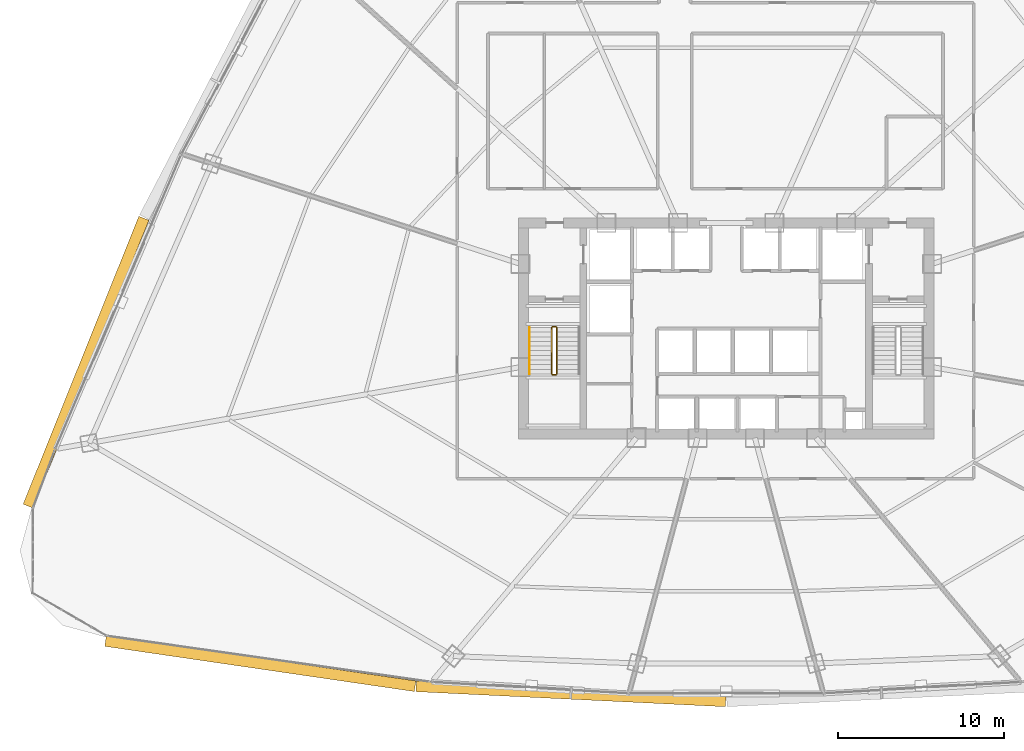
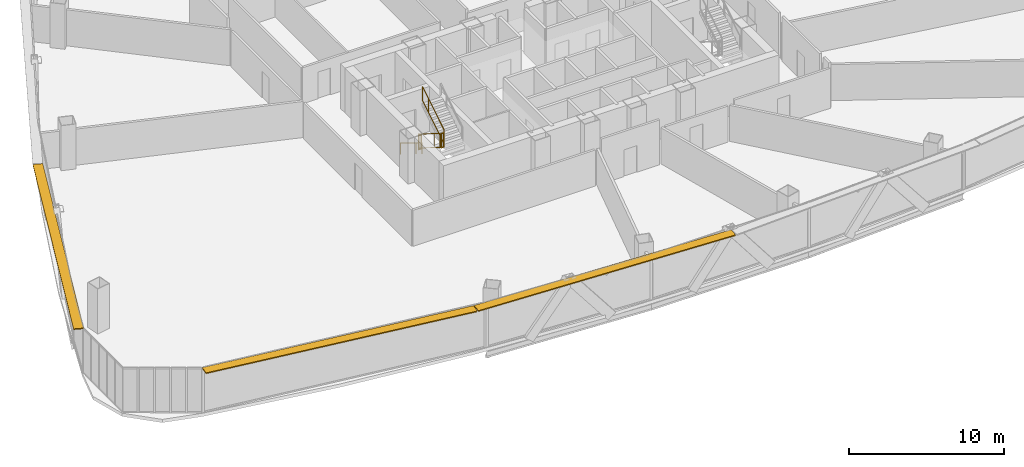
# One storey, part 36 of 39: 5 railings, 3 shading devices.
"""IFC4 building model written with IfcOpenShell, lengths in metres."""

from ifc_helpers import new_model, si_unit, direction, frame, origin, origin_2d, place, context, subcontext, project, spatial, rectangle, extrude, source, transform, mapped, material, layer, layer_set, type_object, element, save


model = new_model("IFC4")

# Units and contexts
model_context = context("Model", 3, precision=1e-05, world=origin(), true_north=direction((0.0, 1.0)))
body_context = subcontext(model_context, "Body", "Model", "MODEL_VIEW")
ifc_project = project(units=[si_unit("LENGTHUNIT", "METRE"), si_unit("AREAUNIT", "SQUARE_METRE"), si_unit("VOLUMEUNIT", "CUBIC_METRE"), si_unit("PLANEANGLEUNIT", "RADIAN"), si_unit("MASSUNIT", "GRAM", prefix="KILO"), si_unit("THERMODYNAMICTEMPERATUREUNIT", "KELVIN"), si_unit("POWERUNIT", "WATT")], contexts=[model_context])

# Site, building, storey
site_placement = place(None, origin())
site = spatial("IfcSite", under=ifc_project, at=site_placement, CompositionType="ELEMENT")
building_placement = place(site_placement, origin())
building = spatial("IfcBuilding", under=site, at=building_placement, Name="Yunzhuo Pagoda Commons", CompositionType="ELEMENT")
storey_placement = place(building_placement, frame((0.0, 0.0, 100.179931640625)))
storey = spatial("IfcBuildingStorey", under=building, at=storey_placement, Name="L25", CompositionType="ELEMENT", Elevation=100.179931640625)

# Railings
ifc_material = material(Name="Anodized aluminium 6063-T6", Category="aluminium")
railing_type_1 = type_object("IfcRailingType", Name="GR-ST1 Stair Well Guardrail 1150", PredefinedType="GUARDRAIL", material=ifc_material)
railing_1_placement = place(storey_placement, frame((37.5, 33.89990234375, 0.1728515625)))
element("IfcRailing", 1, at=railing_1_placement, inside=storey, type_object=railing_type_1, Name="L25 ST1 stair guard 1", PredefinedType="GUARDRAIL", context=body_context, shape_type="SweptSolid", body=[
    extrude(rectangle(XDim=0.048095703125, YDim=0.048095703125, at=origin_2d()), frame((0.0, 0.0, 1.1259765625), z_axis=(0.0, -0.851069175582, 0.525053576669), x_axis=(1.0, 0.0, 0.0)), (0.0, 0.0, 1.0), 3.289794921875),
    extrude(rectangle(XDim=0.048095703125, YDim=0.048095703125, at=origin_2d()), frame((0.0, 0.0, 0.02392578125), z_axis=(0.0, -0.851069175582, 0.525053576669), x_axis=(1.0, 0.0, 0.0)), (0.0, 0.0, 1.0), 3.289794921875),
    extrude(rectangle(XDim=0.0419921875, YDim=0.0419921875, at=origin_2d()), origin(), (0.0, 0.0, 1.0), 1.101806640625),
    extrude(rectangle(XDim=0.0419921875, YDim=0.0419921875, at=origin_2d()), frame((0.0, -2.04248046875, 1.260009765625)), (0.0, 0.0, 1.0), 1.101806640625),
    extrude(rectangle(XDim=0.0419921875, YDim=0.0419921875, at=origin_2d()), frame((0.0, -2.7998046875, 1.727294921875)), (0.0, 0.0, 1.0), 1.101806640625),
])
railing_2_placement = place(storey_placement, frame((37.550048828125, 31.050048828125, 1.900146484375)))
element("IfcRailing", 2, at=railing_2_placement, inside=storey, type_object=railing_type_1, Name="L25 ST1 stair guard 2", PredefinedType="GUARDRAIL", context=body_context, shape_type="SweptSolid", body=[
    extrude(rectangle(XDim=0.048095703125, YDim=0.048095703125, at=origin_2d()), frame((0.0, 0.0, 1.1259765625), z_axis=(1.0, 0.0, 0.0), x_axis=(0.0, 1.0, 0.0)), (0.0, 0.0, 1.0), 0.199951171875),
    extrude(rectangle(XDim=0.048095703125, YDim=0.048095703125, at=origin_2d()), frame((0.0, 0.0, 0.02392578125), z_axis=(1.0, 0.0, 0.0), x_axis=(0.0, 1.0, 0.0)), (0.0, 0.0, 1.0), 0.199951171875),
    extrude(rectangle(XDim=0.0419921875, YDim=0.0419921875, at=origin_2d()), origin(), (0.0, 0.0, 1.0), 1.101806640625),
    extrude(rectangle(XDim=0.0419921875, YDim=0.0419921875, at=origin_2d()), frame((0.199951171875, 0.0, 0.0)), (0.0, 0.0, 1.0), 1.101806640625),
])
railing_3_placement = place(storey_placement, frame((37.800048828125, 31.10009765625, 2.07275390625)))
element("IfcRailing", 3, at=railing_3_placement, inside=storey, type_object=railing_type_1, Name="L25 ST1 stair guard 3", PredefinedType="GUARDRAIL", context=body_context, shape_type="SweptSolid", body=[
    extrude(rectangle(XDim=0.048095703125, YDim=0.048095703125, at=origin_2d()), frame((0.0, 0.0, 1.1259765625), z_axis=(0.0, 0.851069175582, 0.525053576669), x_axis=(-1.0, 0.0, 0.0)), (0.0, 0.0, 1.0), 3.289794921875),
    extrude(rectangle(XDim=0.048095703125, YDim=0.048095703125, at=origin_2d()), frame((0.0, 0.0, 0.02392578125), z_axis=(0.0, 0.851069175582, 0.525053576669), x_axis=(-1.0, 0.0, 0.0)), (0.0, 0.0, 1.0), 3.289794921875),
    extrude(rectangle(XDim=0.0419921875, YDim=0.0419921875, at=origin_2d()), origin(), (0.0, 0.0, 1.0), 1.101806640625),
    extrude(rectangle(XDim=0.0419921875, YDim=0.0419921875, at=origin_2d()), frame((0.0, 2.04248046875, 1.260009765625)), (0.0, 0.0, 1.0), 1.101806640625),
    extrude(rectangle(XDim=0.0419921875, YDim=0.0419921875, at=origin_2d()), frame((0.0, 2.7998046875, 1.727294921875)), (0.0, 0.0, 1.0), 1.101806640625),
])
railing_4_placement = place(storey_placement, frame((37.550048828125, 33.949951171875, 0.0)))
element("IfcRailing", 4, at=railing_4_placement, inside=storey, type_object=railing_type_1, Name="L25 ST1 stair guard 4", PredefinedType="GUARDRAIL", context=body_context, shape_type="SweptSolid", body=[
    extrude(rectangle(XDim=0.048095703125, YDim=0.048095703125, at=origin_2d()), frame((0.0, 0.0, 1.1259765625), z_axis=(1.0, 0.0, 0.0), x_axis=(0.0, 1.0, 0.0)), (0.0, 0.0, 1.0), 0.199951171875),
    extrude(rectangle(XDim=0.048095703125, YDim=0.048095703125, at=origin_2d()), frame((0.0, 0.0, 0.02392578125), z_axis=(1.0, 0.0, 0.0), x_axis=(0.0, 1.0, 0.0)), (0.0, 0.0, 1.0), 0.199951171875),
    extrude(rectangle(XDim=0.0419921875, YDim=0.0419921875, at=origin_2d()), origin(), (0.0, 0.0, 1.0), 1.101806640625),
    extrude(rectangle(XDim=0.0419921875, YDim=0.0419921875, at=origin_2d()), frame((0.199951171875, 0.0, 0.0)), (0.0, 0.0, 1.0), 1.101806640625),
])
railing_type_2 = type_object("IfcRailingType", Name="HR-ST1 Stair Handrail 900", PredefinedType="HANDRAIL", material=ifc_material)
railing_5_placement = place(storey_placement, frame((36.14990234375, 33.89990234375, 0.1728515625)))
element("IfcRailing", 5, at=railing_5_placement, inside=storey, type_object=railing_type_2, Name="L25 ST1 stair handrail 1", PredefinedType="HANDRAIL", context=body_context, shape_type="SweptSolid", body=[
    extrude(rectangle(XDim=0.048095703125, YDim=0.048095703125, at=origin_2d()), frame((0.0, 0.0, 0.8759765625), z_axis=(0.0, -0.851069175582, 0.525053576669), x_axis=(1.0, 0.0, 0.0)), (0.0, 0.0, 1.0), 3.289794921875),
    extrude(rectangle(XDim=0.0419921875, YDim=0.0419921875, at=origin_2d()), origin(), (0.0, 0.0, 1.0), 0.851806640625),
    extrude(rectangle(XDim=0.0419921875, YDim=0.0419921875, at=origin_2d()), frame((0.0, -2.04248046875, 1.260009765625)), (0.0, 0.0, 1.0), 0.851806640625),
    extrude(rectangle(XDim=0.0419921875, YDim=0.0419921875, at=origin_2d()), frame((0.0, -2.7998046875, 1.727294921875)), (0.0, 0.0, 1.0), 0.851806640625),
])

# Shading devices
ifc_layer = layer(ifc_material, 0.080078125)
ifc_layer_set = layer_set([ifc_layer], Name="Anodized aluminium 6063-T6")
shading_device_type = type_object("IfcShadingDeviceType", Name="SH-SUN1 Pagoda Horizontal Sunshade Eave 650", PredefinedType="USERDEFINED", material=ifc_layer_set)
shared_shape_1 = source(origin(), body_context, "Body", "SweptSolid", [
    extrude(rectangle(XDim=18.838134765625, YDim=0.64990234375, at=origin_2d()), origin(), (0.0, 0.0, 1.0), 0.080078125),
])
shading_device_1_placement = place(storey_placement, frame((19.945068359375, 13.65966796875, 3.4599609375), z_axis=(0.0, 0.0, 1.0), x_axis=(0.989510666697, -0.144459823108, 0.0)))
element("IfcShadingDevice", 6, at=shading_device_1_placement, inside=storey, type_object=shading_device_type, Name="L25 horizontal pagoda sunshade eave F1.1", ObjectType="SUNSHADE", PredefinedType="USERDEFINED", context=body_context, shape_type="MappedRepresentation", body=[
    mapped(shared_shape_1, transform((0.0, 0.0, 0.0), scale=1.0)),
])
shared_shape_2 = source(origin(), body_context, "Body", "SweptSolid", [
    extrude(rectangle(XDim=18.662353515625, YDim=0.64990234375, at=origin_2d()), origin(), (0.0, 0.0, 1.0), 0.080078125),
])
shading_device_2_placement = place(storey_placement, frame((38.648193359375, 11.839599609375, 3.4599609375), z_axis=(0.0, 0.0, 1.0), x_axis=(0.998818043775, -0.04860571396, 0.0)))
element("IfcShadingDevice", 7, at=shading_device_2_placement, inside=storey, type_object=shading_device_type, Name="L25 horizontal pagoda sunshade eave F1.2", ObjectType="SUNSHADE", PredefinedType="USERDEFINED", context=body_context, shape_type="MappedRepresentation", body=[
    mapped(shared_shape_2, transform((0.0, 0.0, 0.0), scale=1.0)),
])
shared_shape_3 = source(origin(), body_context, "Body", "SweptSolid", [
    extrude(rectangle(XDim=18.686767578125, YDim=0.64990234375, at=origin_2d()), origin(), (0.0, 0.0, 1.0), 0.080078125),
])
shading_device_3_placement = place(storey_placement, frame((9.447021484375, 31.809814453125, 3.4599609375), z_axis=(0.0, 0.0, 1.0), x_axis=(-0.372987782576, -0.927836253899, 0.0)))
element("IfcShadingDevice", 8, at=shading_device_3_placement, inside=storey, type_object=shading_device_type, Name="L25 horizontal pagoda sunshade eave F3.4", ObjectType="SUNSHADE", PredefinedType="USERDEFINED", context=body_context, shape_type="MappedRepresentation", body=[
    mapped(shared_shape_3, transform((0.0, 0.0, 0.0), scale=1.0)),
])

save(model, "model.ifc")
